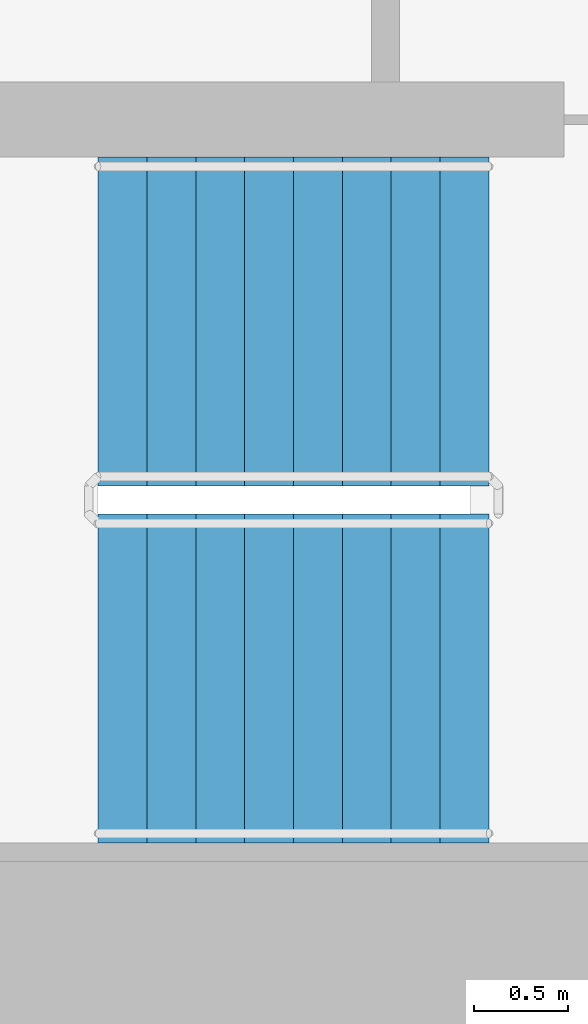
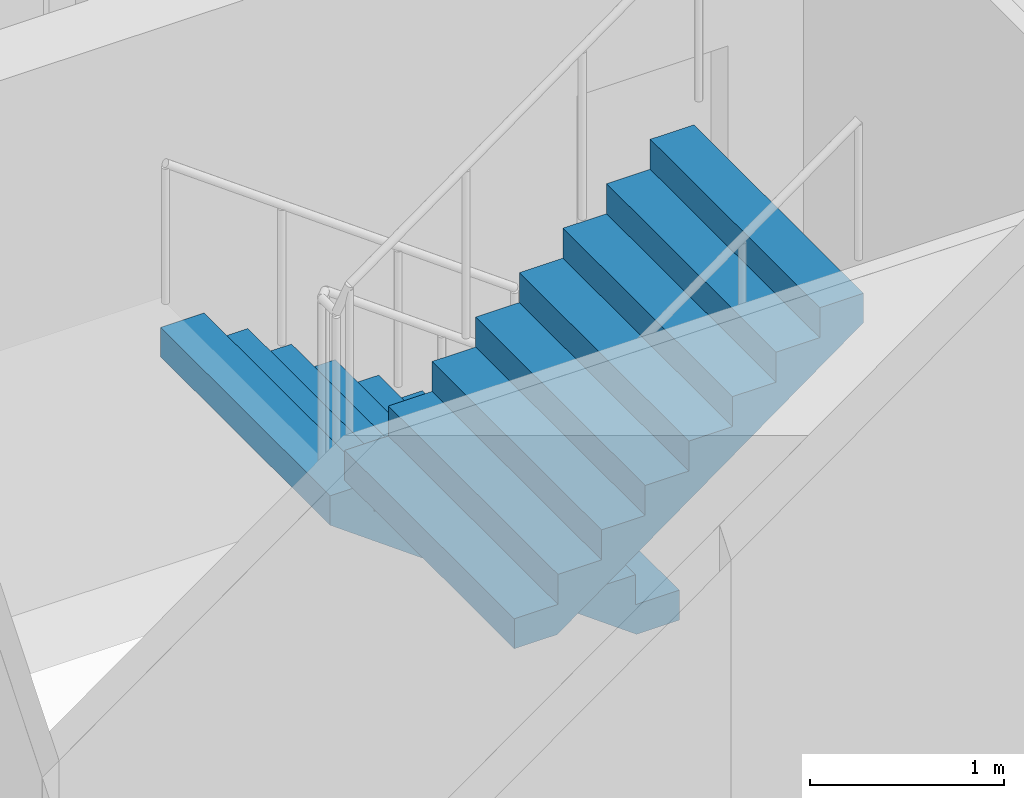
# One storey, part 18 of 25: 2 stair flights, 1 element without a shape of its own.
"""IFC4 building model written with IfcOpenShell, lengths in metres."""

from ifc_helpers import new_model, si_unit, direction, frame, origin, place, context, subcontext, project, spatial, faceted_brep, material, type_object, element, aggregate, save


model = new_model("IFC4")

# Units and contexts
model_context = context("Model", 3, precision=1e-05, world=origin(), true_north=direction((0.0, 1.0)))
body_context = subcontext(model_context, "Body", "Model", "MODEL_VIEW")
ifc_project = project(units=[si_unit("LENGTHUNIT", "METRE"), si_unit("AREAUNIT", "SQUARE_METRE"), si_unit("VOLUMEUNIT", "CUBIC_METRE"), si_unit("PLANEANGLEUNIT", "RADIAN"), si_unit("MASSUNIT", "GRAM", prefix="KILO")], contexts=[model_context])

# Site, building, storey
site_placement = place(None, origin())
site = spatial("IfcSite", under=ifc_project, at=site_placement, CompositionType="ELEMENT")
building_placement = place(site_placement, origin())
building = spatial("IfcBuilding", under=site, at=building_placement, Name="Ipe Terrace Towers", CompositionType="ELEMENT")
storey_placement = place(building_placement, frame((0.0, 0.0, 58.5)))
storey = spatial("IfcBuildingStorey", under=building, at=storey_placement, Name="L15", CompositionType="ELEMENT", Elevation=58.5)

# Stair, stair flights
ifc_material_1 = material(Name="Concrete C30/37", Category="concrete")
stair_type = type_object("IfcStairType", Name="Protected exit stair", PredefinedType="HALF_TURN_STAIR", material=ifc_material_1)
stair_placement = place(storey_placement, origin())
stair = element("IfcStair", 1, at=stair_placement, inside=storey, type_object=stair_type, Name="L15 Exit stair T1-C2", PredefinedType="HALF_TURN_STAIR")
ifc_material_2 = material(Name="Concrete C30/37", Category="concrete")
stair_flight_type = type_object("IfcStairFlightType", Name="Exit stair flight 1750", PredefinedType="STRAIGHT", material=ifc_material_2)
stair_flight_1_placement = place(storey_placement, frame((-45.699951171875, -2.77490234375, 0.0), z_axis=(0.0, 0.0, 1.0), x_axis=(-1.0, 0.0, 0.0)))
stair_flight_1 = element("IfcStairFlight", 2, at=stair_flight_1_placement, type_object=stair_flight_type, Name="T1-ST2 flight 1", NumberOfRisers=9, NumberOfTreads=8, PredefinedType="STRAIGHT", RiserHeight=0.188888889, TreadLength=0.26, context=body_context, shape_type="Brep", body=[
    faceted_brep([(0.255126953125, -0.875, 0.0), (2.080078125, -0.875, 1.325927734375), (2.080078125, -0.875, 1.51123046875), (1.820068359375, -0.875, 1.51123046875), (1.820068359375, -0.875, 1.322265625), (1.56005859375, -0.875, 1.322265625), (1.56005859375, -0.875, 1.13330078125), (1.300048828125, -0.875, 1.13330078125), (1.300048828125, -0.875, 0.9443359375), (1.0400390625, -0.875, 0.9443359375), (1.0400390625, -0.875, 0.755615234375), (0.780029296875, -0.875, 0.755615234375), (0.780029296875, -0.875, 0.566650390625), (0.52001953125, -0.875, 0.566650390625), (0.52001953125, -0.875, 0.377685546875), (0.260009765625, -0.875, 0.377685546875), (0.260009765625, -0.875, 0.18896484375), (0.0, -0.875, 0.18896484375), (0.0, -0.875, 0.0), (0.0, 0.875, 0.0), (0.0, 0.875, 0.18896484375), (0.260009765625, 0.875, 0.18896484375), (0.260009765625, 0.875, 0.377685546875), (0.52001953125, 0.875, 0.377685546875), (0.52001953125, 0.875, 0.566650390625), (0.780029296875, 0.875, 0.566650390625), (0.780029296875, 0.875, 0.755615234375), (1.0400390625, 0.875, 0.755615234375), (1.0400390625, 0.875, 0.9443359375), (1.300048828125, 0.875, 0.9443359375), (1.300048828125, 0.875, 1.13330078125), (1.56005859375, 0.875, 1.13330078125), (1.56005859375, 0.875, 1.322265625), (1.820068359375, 0.875, 1.322265625), (1.820068359375, 0.875, 1.51123046875), (2.080078125, 0.875, 1.51123046875), (2.080078125, 0.875, 1.325927734375), (0.255126953125, 0.875, 0.0), (0.0, -0.300048828125, 0.18896484375), (0.0, -0.1201171875, 0.18896484375), (0.0, -0.06005859375, 0.18896484375), (0.0, -0.030029296875, 0.18896484375), (0.0, -0.010009765625, 0.18896484375), (0.0, 0.0, 0.18896484375), (0.0, 0.010009765625, 0.18896484375), (0.0, 0.030029296875, 0.18896484375), (0.0, 0.06005859375, 0.18896484375), (0.0, 0.1201171875, 0.18896484375), (0.0, 0.300048828125, 0.18896484375), (0.0, 0.300048828125, 0.0), (0.0, 0.1201171875, 0.0), (0.0, 0.06005859375, 0.0), (0.0, 0.030029296875, 0.0), (0.0, 0.010009765625, 0.0), (0.0, 0.0, 0.0), (0.0, -0.010009765625, 0.0), (0.0, -0.030029296875, 0.0), (0.0, -0.06005859375, 0.0), (0.0, -0.1201171875, 0.0), (0.0, -0.300048828125, 0.0), (0.260009765625, -0.300048828125, 0.18896484375), (0.260009765625, -0.1201171875, 0.18896484375), (0.260009765625, -0.06005859375, 0.18896484375), (0.260009765625, -0.030029296875, 0.18896484375), (0.260009765625, -0.010009765625, 0.18896484375), (0.260009765625, 0.0, 0.18896484375), (0.260009765625, 0.010009765625, 0.18896484375), (0.260009765625, 0.030029296875, 0.18896484375), (0.260009765625, 0.06005859375, 0.18896484375), (0.260009765625, 0.1201171875, 0.18896484375), (0.260009765625, 0.300048828125, 0.18896484375), (0.260009765625, -0.300048828125, 0.377685546875), (0.260009765625, -0.1201171875, 0.377685546875), (0.260009765625, -0.06005859375, 0.377685546875), (0.260009765625, -0.030029296875, 0.377685546875), (0.260009765625, -0.010009765625, 0.377685546875), (0.260009765625, 0.0, 0.377685546875), (0.260009765625, 0.010009765625, 0.377685546875), (0.260009765625, 0.030029296875, 0.377685546875), (0.260009765625, 0.06005859375, 0.377685546875), (0.260009765625, 0.1201171875, 0.377685546875), (0.260009765625, 0.300048828125, 0.377685546875), (0.52001953125, -0.300048828125, 0.377685546875), (0.52001953125, -0.1201171875, 0.377685546875), (0.52001953125, -0.06005859375, 0.377685546875), (0.52001953125, -0.030029296875, 0.377685546875), (0.52001953125, -0.010009765625, 0.377685546875), (0.52001953125, 0.0, 0.377685546875), (0.52001953125, 0.010009765625, 0.377685546875), (0.52001953125, 0.030029296875, 0.377685546875), (0.52001953125, 0.06005859375, 0.377685546875), (0.52001953125, 0.1201171875, 0.377685546875), (0.52001953125, 0.300048828125, 0.377685546875), (0.52001953125, -0.300048828125, 0.566650390625), (0.52001953125, -0.1201171875, 0.566650390625), (0.52001953125, -0.06005859375, 0.566650390625), (0.52001953125, -0.030029296875, 0.566650390625), (0.52001953125, -0.010009765625, 0.566650390625), (0.52001953125, 0.0, 0.566650390625), (0.52001953125, 0.010009765625, 0.566650390625), (0.52001953125, 0.030029296875, 0.566650390625), (0.52001953125, 0.06005859375, 0.566650390625), (0.52001953125, 0.1201171875, 0.566650390625), (0.52001953125, 0.300048828125, 0.566650390625), (0.780029296875, -0.300048828125, 0.566650390625), (0.780029296875, -0.1201171875, 0.566650390625), (0.780029296875, -0.06005859375, 0.566650390625), (0.780029296875, -0.030029296875, 0.566650390625), (0.780029296875, -0.010009765625, 0.566650390625), (0.780029296875, 0.0, 0.566650390625), (0.780029296875, 0.010009765625, 0.566650390625), (0.780029296875, 0.030029296875, 0.566650390625), (0.780029296875, 0.06005859375, 0.566650390625), (0.780029296875, 0.1201171875, 0.566650390625), (0.780029296875, 0.300048828125, 0.566650390625), (0.780029296875, -0.300048828125, 0.755615234375), (0.780029296875, -0.1201171875, 0.755615234375), (0.780029296875, -0.06005859375, 0.755615234375), (0.780029296875, -0.030029296875, 0.755615234375), (0.780029296875, -0.010009765625, 0.755615234375), (0.780029296875, 0.0, 0.755615234375), (0.780029296875, 0.010009765625, 0.755615234375), (0.780029296875, 0.030029296875, 0.755615234375), (0.780029296875, 0.06005859375, 0.755615234375), (0.780029296875, 0.1201171875, 0.755615234375), (0.780029296875, 0.300048828125, 0.755615234375), (1.0400390625, -0.300048828125, 0.755615234375), (1.0400390625, -0.1201171875, 0.755615234375), (1.0400390625, -0.06005859375, 0.755615234375), (1.0400390625, -0.030029296875, 0.755615234375), (1.0400390625, -0.010009765625, 0.755615234375), (1.0400390625, 0.0, 0.755615234375), (1.0400390625, 0.010009765625, 0.755615234375), (1.0400390625, 0.030029296875, 0.755615234375), (1.0400390625, 0.06005859375, 0.755615234375), (1.0400390625, 0.1201171875, 0.755615234375), (1.0400390625, 0.300048828125, 0.755615234375), (1.0400390625, -0.300048828125, 0.9443359375), (1.0400390625, -0.1201171875, 0.9443359375), (1.0400390625, -0.06005859375, 0.9443359375), (1.0400390625, -0.030029296875, 0.9443359375), (1.0400390625, -0.010009765625, 0.9443359375), (1.0400390625, 0.0, 0.9443359375), (1.0400390625, 0.010009765625, 0.9443359375), (1.0400390625, 0.030029296875, 0.9443359375), (1.0400390625, 0.06005859375, 0.9443359375), (1.0400390625, 0.1201171875, 0.9443359375), (1.0400390625, 0.300048828125, 0.9443359375), (1.300048828125, -0.300048828125, 0.9443359375), (1.300048828125, -0.1201171875, 0.9443359375), (1.300048828125, -0.06005859375, 0.9443359375), (1.300048828125, -0.030029296875, 0.9443359375), (1.300048828125, -0.010009765625, 0.9443359375), (1.300048828125, 0.0, 0.9443359375), (1.300048828125, 0.010009765625, 0.9443359375), (1.300048828125, 0.030029296875, 0.9443359375), (1.300048828125, 0.06005859375, 0.9443359375), (1.300048828125, 0.1201171875, 0.9443359375), (1.300048828125, 0.300048828125, 0.9443359375), (1.300048828125, -0.300048828125, 1.13330078125), (1.300048828125, -0.1201171875, 1.13330078125), (1.300048828125, -0.06005859375, 1.13330078125), (1.300048828125, -0.030029296875, 1.13330078125), (1.300048828125, -0.010009765625, 1.13330078125), (1.300048828125, 0.0, 1.13330078125), (1.300048828125, 0.010009765625, 1.13330078125), (1.300048828125, 0.030029296875, 1.13330078125), (1.300048828125, 0.06005859375, 1.13330078125), (1.300048828125, 0.1201171875, 1.13330078125), (1.300048828125, 0.300048828125, 1.13330078125), (1.56005859375, -0.300048828125, 1.13330078125), (1.56005859375, -0.1201171875, 1.13330078125), (1.56005859375, -0.06005859375, 1.13330078125), (1.56005859375, -0.030029296875, 1.13330078125), (1.56005859375, -0.010009765625, 1.13330078125), (1.56005859375, 0.0, 1.13330078125), (1.56005859375, 0.010009765625, 1.13330078125), (1.56005859375, 0.030029296875, 1.13330078125), (1.56005859375, 0.06005859375, 1.13330078125), (1.56005859375, 0.1201171875, 1.13330078125), (1.56005859375, 0.300048828125, 1.13330078125), (1.56005859375, -0.300048828125, 1.322265625), (1.56005859375, -0.1201171875, 1.322265625), (1.56005859375, -0.06005859375, 1.322265625), (1.56005859375, -0.030029296875, 1.322265625), (1.56005859375, -0.010009765625, 1.322265625), (1.56005859375, 0.0, 1.322265625), (1.56005859375, 0.010009765625, 1.322265625), (1.56005859375, 0.030029296875, 1.322265625), (1.56005859375, 0.06005859375, 1.322265625), (1.56005859375, 0.1201171875, 1.322265625), (1.56005859375, 0.300048828125, 1.322265625), (1.820068359375, -0.300048828125, 1.322265625), (1.820068359375, -0.1201171875, 1.322265625), (1.820068359375, -0.06005859375, 1.322265625), (1.820068359375, -0.030029296875, 1.322265625), (1.820068359375, -0.010009765625, 1.322265625), (1.820068359375, 0.0, 1.322265625), (1.820068359375, 0.010009765625, 1.322265625), (1.820068359375, 0.030029296875, 1.322265625), (1.820068359375, 0.06005859375, 1.322265625), (1.820068359375, 0.1201171875, 1.322265625), (1.820068359375, 0.300048828125, 1.322265625), (1.820068359375, -0.300048828125, 1.51123046875), (1.820068359375, -0.1201171875, 1.51123046875), (1.820068359375, -0.06005859375, 1.51123046875), (1.820068359375, -0.030029296875, 1.51123046875), (1.820068359375, -0.010009765625, 1.51123046875), (1.820068359375, 0.0, 1.51123046875), (1.820068359375, 0.010009765625, 1.51123046875), (1.820068359375, 0.030029296875, 1.51123046875), (1.820068359375, 0.06005859375, 1.51123046875), (1.820068359375, 0.1201171875, 1.51123046875), (1.820068359375, 0.300048828125, 1.51123046875), (2.080078125, -0.300048828125, 1.51123046875), (2.080078125, -0.1201171875, 1.51123046875), (2.080078125, -0.06005859375, 1.51123046875), (2.080078125, -0.030029296875, 1.51123046875), (2.080078125, -0.010009765625, 1.51123046875), (2.080078125, 0.0, 1.51123046875), (2.080078125, 0.010009765625, 1.51123046875), (2.080078125, 0.030029296875, 1.51123046875), (2.080078125, 0.06005859375, 1.51123046875), (2.080078125, 0.1201171875, 1.51123046875), (2.080078125, 0.300048828125, 1.51123046875), (2.080078125, -0.300048828125, 1.325927734375), (2.080078125, -0.1201171875, 1.325927734375), (2.080078125, -0.06005859375, 1.325927734375), (2.080078125, -0.030029296875, 1.325927734375), (2.080078125, -0.010009765625, 1.325927734375), (2.080078125, 0.0, 1.325927734375), (2.080078125, 0.010009765625, 1.325927734375), (2.080078125, 0.030029296875, 1.325927734375), (2.080078125, 0.06005859375, 1.325927734375), (2.080078125, 0.1201171875, 1.325927734375), (2.080078125, 0.300048828125, 1.325927734375), (0.255126953125, -0.300048828125, 0.0), (0.255126953125, -0.1201171875, 0.0), (0.255126953125, -0.06005859375, 0.0), (0.255126953125, -0.030029296875, 0.0), (0.255126953125, -0.010009765625, 0.0), (0.255126953125, 0.0, 0.0), (0.255126953125, 0.010009765625, 0.0), (0.255126953125, 0.030029296875, 0.0), (0.255126953125, 0.06005859375, 0.0), (0.255126953125, 0.1201171875, 0.0), (0.255126953125, 0.300048828125, 0.0)], [[[0, 1, 2, 3, 4, 5, 6, 7, 8, 9, 10, 11, 12, 13, 14, 15, 16, 17, 18]], [[19, 20, 21, 22, 23, 24, 25, 26, 27, 28, 29, 30, 31, 32, 33, 34, 35, 36, 37]], [[17, 38, 39, 40, 41, 42, 43, 44, 45, 46, 47, 48, 20, 19, 49, 50, 51, 52, 53, 54, 55, 56, 57, 58, 59, 18]], [[16, 60, 61, 62, 63, 64, 65, 66, 67, 68, 69, 70, 21, 20, 48, 47, 46, 45, 44, 43, 42, 41, 40, 39, 38, 17]], [[15, 71, 72, 73, 74, 75, 76, 77, 78, 79, 80, 81, 22, 21, 70, 69, 68, 67, 66, 65, 64, 63, 62, 61, 60, 16]], [[14, 82, 83, 84, 85, 86, 87, 88, 89, 90, 91, 92, 23, 22, 81, 80, 79, 78, 77, 76, 75, 74, 73, 72, 71, 15]], [[13, 93, 94, 95, 96, 97, 98, 99, 100, 101, 102, 103, 24, 23, 92, 91, 90, 89, 88, 87, 86, 85, 84, 83, 82, 14]], [[12, 104, 105, 106, 107, 108, 109, 110, 111, 112, 113, 114, 25, 24, 103, 102, 101, 100, 99, 98, 97, 96, 95, 94, 93, 13]], [[11, 115, 116, 117, 118, 119, 120, 121, 122, 123, 124, 125, 26, 25, 114, 113, 112, 111, 110, 109, 108, 107, 106, 105, 104, 12]], [[10, 126, 127, 128, 129, 130, 131, 132, 133, 134, 135, 136, 27, 26, 125, 124, 123, 122, 121, 120, 119, 118, 117, 116, 115, 11]], [[9, 137, 138, 139, 140, 141, 142, 143, 144, 145, 146, 147, 28, 27, 136, 135, 134, 133, 132, 131, 130, 129, 128, 127, 126, 10]], [[8, 148, 149, 150, 151, 152, 153, 154, 155, 156, 157, 158, 29, 28, 147, 146, 145, 144, 143, 142, 141, 140, 139, 138, 137, 9]], [[7, 159, 160, 161, 162, 163, 164, 165, 166, 167, 168, 169, 30, 29, 158, 157, 156, 155, 154, 153, 152, 151, 150, 149, 148, 8]], [[6, 170, 171, 172, 173, 174, 175, 176, 177, 178, 179, 180, 31, 30, 169, 168, 167, 166, 165, 164, 163, 162, 161, 160, 159, 7]], [[5, 181, 182, 183, 184, 185, 186, 187, 188, 189, 190, 191, 32, 31, 180, 179, 178, 177, 176, 175, 174, 173, 172, 171, 170, 6]], [[4, 192, 193, 194, 195, 196, 197, 198, 199, 200, 201, 202, 33, 32, 191, 190, 189, 188, 187, 186, 185, 184, 183, 182, 181, 5]], [[3, 203, 204, 205, 206, 207, 208, 209, 210, 211, 212, 213, 34, 33, 202, 201, 200, 199, 198, 197, 196, 195, 194, 193, 192, 4]], [[2, 214, 215, 216, 217, 218, 219, 220, 221, 222, 223, 224, 35, 34, 213, 212, 211, 210, 209, 208, 207, 206, 205, 204, 203, 3]], [[1, 225, 226, 227, 228, 229, 230, 231, 232, 233, 234, 235, 36, 35, 224, 223, 222, 221, 220, 219, 218, 217, 216, 215, 214, 2]], [[0, 236, 237, 238, 239, 240, 241, 242, 243, 244, 245, 246, 37, 36, 235, 234, 233, 232, 231, 230, 229, 228, 227, 226, 225, 1]], [[18, 59, 58, 57, 56, 55, 54, 53, 52, 51, 50, 49, 19, 37, 246, 245, 244, 243, 242, 241, 240, 239, 238, 237, 236, 0]]]),
])
stair_flight_2_placement = place(storey_placement, frame((-47.780029296875, -4.675048828125, 1.699951171875), z_axis=(0.0, 0.0, 1.0), x_axis=(1.0, 0.0, 0.0)))
stair_flight_2 = element("IfcStairFlight", 3, at=stair_flight_2_placement, type_object=stair_flight_type, Name="T1-ST2 flight 2", NumberOfRisers=9, NumberOfTreads=8, PredefinedType="STRAIGHT", RiserHeight=0.188888889, TreadLength=0.26, context=body_context, shape_type="Brep", body=[
    faceted_brep([(0.255126953125, -0.875, 0.0), (2.080078125, -0.875, 1.325927734375), (2.080078125, -0.875, 1.51123046875), (1.820068359375, -0.875, 1.51123046875), (1.820068359375, -0.875, 1.322265625), (1.56005859375, -0.875, 1.322265625), (1.56005859375, -0.875, 1.13330078125), (1.300048828125, -0.875, 1.13330078125), (1.300048828125, -0.875, 0.9443359375), (1.0400390625, -0.875, 0.9443359375), (1.0400390625, -0.875, 0.755615234375), (0.780029296875, -0.875, 0.755615234375), (0.780029296875, -0.875, 0.566650390625), (0.52001953125, -0.875, 0.566650390625), (0.52001953125, -0.875, 0.377685546875), (0.260009765625, -0.875, 0.377685546875), (0.260009765625, -0.875, 0.18896484375), (0.0, -0.875, 0.18896484375), (0.0, -0.875, 0.0), (0.0, 0.875, 0.0), (0.0, 0.875, 0.18896484375), (0.260009765625, 0.875, 0.18896484375), (0.260009765625, 0.875, 0.377685546875), (0.52001953125, 0.875, 0.377685546875), (0.52001953125, 0.875, 0.566650390625), (0.780029296875, 0.875, 0.566650390625), (0.780029296875, 0.875, 0.755615234375), (1.0400390625, 0.875, 0.755615234375), (1.0400390625, 0.875, 0.9443359375), (1.300048828125, 0.875, 0.9443359375), (1.300048828125, 0.875, 1.13330078125), (1.56005859375, 0.875, 1.13330078125), (1.56005859375, 0.875, 1.322265625), (1.820068359375, 0.875, 1.322265625), (1.820068359375, 0.875, 1.51123046875), (2.080078125, 0.875, 1.51123046875), (2.080078125, 0.875, 1.325927734375), (0.255126953125, 0.875, 0.0), (0.0, -0.300048828125, 0.18896484375), (0.0, -0.1201171875, 0.18896484375), (0.0, -0.06005859375, 0.18896484375), (0.0, -0.030029296875, 0.18896484375), (0.0, -0.010009765625, 0.18896484375), (0.0, 0.0, 0.18896484375), (0.0, 0.010009765625, 0.18896484375), (0.0, 0.030029296875, 0.18896484375), (0.0, 0.06005859375, 0.18896484375), (0.0, 0.1201171875, 0.18896484375), (0.0, 0.300048828125, 0.18896484375), (0.0, 0.300048828125, 0.0), (0.0, 0.1201171875, 0.0), (0.0, 0.06005859375, 0.0), (0.0, 0.030029296875, 0.0), (0.0, 0.010009765625, 0.0), (0.0, 0.0, 0.0), (0.0, -0.010009765625, 0.0), (0.0, -0.030029296875, 0.0), (0.0, -0.06005859375, 0.0), (0.0, -0.1201171875, 0.0), (0.0, -0.300048828125, 0.0), (0.260009765625, -0.300048828125, 0.18896484375), (0.260009765625, -0.1201171875, 0.18896484375), (0.260009765625, -0.06005859375, 0.18896484375), (0.260009765625, -0.030029296875, 0.18896484375), (0.260009765625, -0.010009765625, 0.18896484375), (0.260009765625, 0.0, 0.18896484375), (0.260009765625, 0.010009765625, 0.18896484375), (0.260009765625, 0.030029296875, 0.18896484375), (0.260009765625, 0.06005859375, 0.18896484375), (0.260009765625, 0.1201171875, 0.18896484375), (0.260009765625, 0.300048828125, 0.18896484375), (0.260009765625, -0.300048828125, 0.377685546875), (0.260009765625, -0.1201171875, 0.377685546875), (0.260009765625, -0.06005859375, 0.377685546875), (0.260009765625, -0.030029296875, 0.377685546875), (0.260009765625, -0.010009765625, 0.377685546875), (0.260009765625, 0.0, 0.377685546875), (0.260009765625, 0.010009765625, 0.377685546875), (0.260009765625, 0.030029296875, 0.377685546875), (0.260009765625, 0.06005859375, 0.377685546875), (0.260009765625, 0.1201171875, 0.377685546875), (0.260009765625, 0.300048828125, 0.377685546875), (0.52001953125, -0.300048828125, 0.377685546875), (0.52001953125, -0.1201171875, 0.377685546875), (0.52001953125, -0.06005859375, 0.377685546875), (0.52001953125, -0.030029296875, 0.377685546875), (0.52001953125, -0.010009765625, 0.377685546875), (0.52001953125, 0.0, 0.377685546875), (0.52001953125, 0.010009765625, 0.377685546875), (0.52001953125, 0.030029296875, 0.377685546875), (0.52001953125, 0.06005859375, 0.377685546875), (0.52001953125, 0.1201171875, 0.377685546875), (0.52001953125, 0.300048828125, 0.377685546875), (0.52001953125, -0.300048828125, 0.566650390625), (0.52001953125, -0.1201171875, 0.566650390625), (0.52001953125, -0.06005859375, 0.566650390625), (0.52001953125, -0.030029296875, 0.566650390625), (0.52001953125, -0.010009765625, 0.566650390625), (0.52001953125, 0.0, 0.566650390625), (0.52001953125, 0.010009765625, 0.566650390625), (0.52001953125, 0.030029296875, 0.566650390625), (0.52001953125, 0.06005859375, 0.566650390625), (0.52001953125, 0.1201171875, 0.566650390625), (0.52001953125, 0.300048828125, 0.566650390625), (0.780029296875, -0.300048828125, 0.566650390625), (0.780029296875, -0.1201171875, 0.566650390625), (0.780029296875, -0.06005859375, 0.566650390625), (0.780029296875, -0.030029296875, 0.566650390625), (0.780029296875, -0.010009765625, 0.566650390625), (0.780029296875, 0.0, 0.566650390625), (0.780029296875, 0.010009765625, 0.566650390625), (0.780029296875, 0.030029296875, 0.566650390625), (0.780029296875, 0.06005859375, 0.566650390625), (0.780029296875, 0.1201171875, 0.566650390625), (0.780029296875, 0.300048828125, 0.566650390625), (0.780029296875, -0.300048828125, 0.755615234375), (0.780029296875, -0.1201171875, 0.755615234375), (0.780029296875, -0.06005859375, 0.755615234375), (0.780029296875, -0.030029296875, 0.755615234375), (0.780029296875, -0.010009765625, 0.755615234375), (0.780029296875, 0.0, 0.755615234375), (0.780029296875, 0.010009765625, 0.755615234375), (0.780029296875, 0.030029296875, 0.755615234375), (0.780029296875, 0.06005859375, 0.755615234375), (0.780029296875, 0.1201171875, 0.755615234375), (0.780029296875, 0.300048828125, 0.755615234375), (1.0400390625, -0.300048828125, 0.755615234375), (1.0400390625, -0.1201171875, 0.755615234375), (1.0400390625, -0.06005859375, 0.755615234375), (1.0400390625, -0.030029296875, 0.755615234375), (1.0400390625, -0.010009765625, 0.755615234375), (1.0400390625, 0.0, 0.755615234375), (1.0400390625, 0.010009765625, 0.755615234375), (1.0400390625, 0.030029296875, 0.755615234375), (1.0400390625, 0.06005859375, 0.755615234375), (1.0400390625, 0.1201171875, 0.755615234375), (1.0400390625, 0.300048828125, 0.755615234375), (1.0400390625, -0.300048828125, 0.9443359375), (1.0400390625, -0.1201171875, 0.9443359375), (1.0400390625, -0.06005859375, 0.9443359375), (1.0400390625, -0.030029296875, 0.9443359375), (1.0400390625, -0.010009765625, 0.9443359375), (1.0400390625, 0.0, 0.9443359375), (1.0400390625, 0.010009765625, 0.9443359375), (1.0400390625, 0.030029296875, 0.9443359375), (1.0400390625, 0.06005859375, 0.9443359375), (1.0400390625, 0.1201171875, 0.9443359375), (1.0400390625, 0.300048828125, 0.9443359375), (1.300048828125, -0.300048828125, 0.9443359375), (1.300048828125, -0.1201171875, 0.9443359375), (1.300048828125, -0.06005859375, 0.9443359375), (1.300048828125, -0.030029296875, 0.9443359375), (1.300048828125, -0.010009765625, 0.9443359375), (1.300048828125, 0.0, 0.9443359375), (1.300048828125, 0.010009765625, 0.9443359375), (1.300048828125, 0.030029296875, 0.9443359375), (1.300048828125, 0.06005859375, 0.9443359375), (1.300048828125, 0.1201171875, 0.9443359375), (1.300048828125, 0.300048828125, 0.9443359375), (1.300048828125, -0.300048828125, 1.13330078125), (1.300048828125, -0.1201171875, 1.13330078125), (1.300048828125, -0.06005859375, 1.13330078125), (1.300048828125, -0.030029296875, 1.13330078125), (1.300048828125, -0.010009765625, 1.13330078125), (1.300048828125, 0.0, 1.13330078125), (1.300048828125, 0.010009765625, 1.13330078125), (1.300048828125, 0.030029296875, 1.13330078125), (1.300048828125, 0.06005859375, 1.13330078125), (1.300048828125, 0.1201171875, 1.13330078125), (1.300048828125, 0.300048828125, 1.13330078125), (1.56005859375, -0.300048828125, 1.13330078125), (1.56005859375, -0.1201171875, 1.13330078125), (1.56005859375, -0.06005859375, 1.13330078125), (1.56005859375, -0.030029296875, 1.13330078125), (1.56005859375, -0.010009765625, 1.13330078125), (1.56005859375, 0.0, 1.13330078125), (1.56005859375, 0.010009765625, 1.13330078125), (1.56005859375, 0.030029296875, 1.13330078125), (1.56005859375, 0.06005859375, 1.13330078125), (1.56005859375, 0.1201171875, 1.13330078125), (1.56005859375, 0.300048828125, 1.13330078125), (1.56005859375, -0.300048828125, 1.322265625), (1.56005859375, -0.1201171875, 1.322265625), (1.56005859375, -0.06005859375, 1.322265625), (1.56005859375, -0.030029296875, 1.322265625), (1.56005859375, -0.010009765625, 1.322265625), (1.56005859375, 0.0, 1.322265625), (1.56005859375, 0.010009765625, 1.322265625), (1.56005859375, 0.030029296875, 1.322265625), (1.56005859375, 0.06005859375, 1.322265625), (1.56005859375, 0.1201171875, 1.322265625), (1.56005859375, 0.300048828125, 1.322265625), (1.820068359375, -0.300048828125, 1.322265625), (1.820068359375, -0.1201171875, 1.322265625), (1.820068359375, -0.06005859375, 1.322265625), (1.820068359375, -0.030029296875, 1.322265625), (1.820068359375, -0.010009765625, 1.322265625), (1.820068359375, 0.0, 1.322265625), (1.820068359375, 0.010009765625, 1.322265625), (1.820068359375, 0.030029296875, 1.322265625), (1.820068359375, 0.06005859375, 1.322265625), (1.820068359375, 0.1201171875, 1.322265625), (1.820068359375, 0.300048828125, 1.322265625), (1.820068359375, -0.300048828125, 1.51123046875), (1.820068359375, -0.1201171875, 1.51123046875), (1.820068359375, -0.06005859375, 1.51123046875), (1.820068359375, -0.030029296875, 1.51123046875), (1.820068359375, -0.010009765625, 1.51123046875), (1.820068359375, 0.0, 1.51123046875), (1.820068359375, 0.010009765625, 1.51123046875), (1.820068359375, 0.030029296875, 1.51123046875), (1.820068359375, 0.06005859375, 1.51123046875), (1.820068359375, 0.1201171875, 1.51123046875), (1.820068359375, 0.300048828125, 1.51123046875), (2.080078125, -0.300048828125, 1.51123046875), (2.080078125, -0.1201171875, 1.51123046875), (2.080078125, -0.06005859375, 1.51123046875), (2.080078125, -0.030029296875, 1.51123046875), (2.080078125, -0.010009765625, 1.51123046875), (2.080078125, 0.0, 1.51123046875), (2.080078125, 0.010009765625, 1.51123046875), (2.080078125, 0.030029296875, 1.51123046875), (2.080078125, 0.06005859375, 1.51123046875), (2.080078125, 0.1201171875, 1.51123046875), (2.080078125, 0.300048828125, 1.51123046875), (2.080078125, -0.300048828125, 1.325927734375), (2.080078125, -0.1201171875, 1.325927734375), (2.080078125, -0.06005859375, 1.325927734375), (2.080078125, -0.030029296875, 1.325927734375), (2.080078125, -0.010009765625, 1.325927734375), (2.080078125, 0.0, 1.325927734375), (2.080078125, 0.010009765625, 1.325927734375), (2.080078125, 0.030029296875, 1.325927734375), (2.080078125, 0.06005859375, 1.325927734375), (2.080078125, 0.1201171875, 1.325927734375), (2.080078125, 0.300048828125, 1.325927734375), (0.255126953125, -0.300048828125, 0.0), (0.255126953125, -0.1201171875, 0.0), (0.255126953125, -0.06005859375, 0.0), (0.255126953125, -0.030029296875, 0.0), (0.255126953125, -0.010009765625, 0.0), (0.255126953125, 0.0, 0.0), (0.255126953125, 0.010009765625, 0.0), (0.255126953125, 0.030029296875, 0.0), (0.255126953125, 0.06005859375, 0.0), (0.255126953125, 0.1201171875, 0.0), (0.255126953125, 0.300048828125, 0.0)], [[[0, 1, 2, 3, 4, 5, 6, 7, 8, 9, 10, 11, 12, 13, 14, 15, 16, 17, 18]], [[19, 20, 21, 22, 23, 24, 25, 26, 27, 28, 29, 30, 31, 32, 33, 34, 35, 36, 37]], [[17, 38, 39, 40, 41, 42, 43, 44, 45, 46, 47, 48, 20, 19, 49, 50, 51, 52, 53, 54, 55, 56, 57, 58, 59, 18]], [[16, 60, 61, 62, 63, 64, 65, 66, 67, 68, 69, 70, 21, 20, 48, 47, 46, 45, 44, 43, 42, 41, 40, 39, 38, 17]], [[15, 71, 72, 73, 74, 75, 76, 77, 78, 79, 80, 81, 22, 21, 70, 69, 68, 67, 66, 65, 64, 63, 62, 61, 60, 16]], [[14, 82, 83, 84, 85, 86, 87, 88, 89, 90, 91, 92, 23, 22, 81, 80, 79, 78, 77, 76, 75, 74, 73, 72, 71, 15]], [[13, 93, 94, 95, 96, 97, 98, 99, 100, 101, 102, 103, 24, 23, 92, 91, 90, 89, 88, 87, 86, 85, 84, 83, 82, 14]], [[12, 104, 105, 106, 107, 108, 109, 110, 111, 112, 113, 114, 25, 24, 103, 102, 101, 100, 99, 98, 97, 96, 95, 94, 93, 13]], [[11, 115, 116, 117, 118, 119, 120, 121, 122, 123, 124, 125, 26, 25, 114, 113, 112, 111, 110, 109, 108, 107, 106, 105, 104, 12]], [[10, 126, 127, 128, 129, 130, 131, 132, 133, 134, 135, 136, 27, 26, 125, 124, 123, 122, 121, 120, 119, 118, 117, 116, 115, 11]], [[9, 137, 138, 139, 140, 141, 142, 143, 144, 145, 146, 147, 28, 27, 136, 135, 134, 133, 132, 131, 130, 129, 128, 127, 126, 10]], [[8, 148, 149, 150, 151, 152, 153, 154, 155, 156, 157, 158, 29, 28, 147, 146, 145, 144, 143, 142, 141, 140, 139, 138, 137, 9]], [[7, 159, 160, 161, 162, 163, 164, 165, 166, 167, 168, 169, 30, 29, 158, 157, 156, 155, 154, 153, 152, 151, 150, 149, 148, 8]], [[6, 170, 171, 172, 173, 174, 175, 176, 177, 178, 179, 180, 31, 30, 169, 168, 167, 166, 165, 164, 163, 162, 161, 160, 159, 7]], [[5, 181, 182, 183, 184, 185, 186, 187, 188, 189, 190, 191, 32, 31, 180, 179, 178, 177, 176, 175, 174, 173, 172, 171, 170, 6]], [[4, 192, 193, 194, 195, 196, 197, 198, 199, 200, 201, 202, 33, 32, 191, 190, 189, 188, 187, 186, 185, 184, 183, 182, 181, 5]], [[3, 203, 204, 205, 206, 207, 208, 209, 210, 211, 212, 213, 34, 33, 202, 201, 200, 199, 198, 197, 196, 195, 194, 193, 192, 4]], [[2, 214, 215, 216, 217, 218, 219, 220, 221, 222, 223, 224, 35, 34, 213, 212, 211, 210, 209, 208, 207, 206, 205, 204, 203, 3]], [[1, 225, 226, 227, 228, 229, 230, 231, 232, 233, 234, 235, 36, 35, 224, 223, 222, 221, 220, 219, 218, 217, 216, 215, 214, 2]], [[0, 236, 237, 238, 239, 240, 241, 242, 243, 244, 245, 246, 37, 36, 235, 234, 233, 232, 231, 230, 229, 228, 227, 226, 225, 1]], [[18, 59, 58, 57, 56, 55, 54, 53, 52, 51, 50, 49, 19, 37, 246, 245, 244, 243, 242, 241, 240, 239, 238, 237, 236, 0]]]),
])
aggregate(stair, [stair_flight_1, stair_flight_2])

save(model, "model.ifc")
